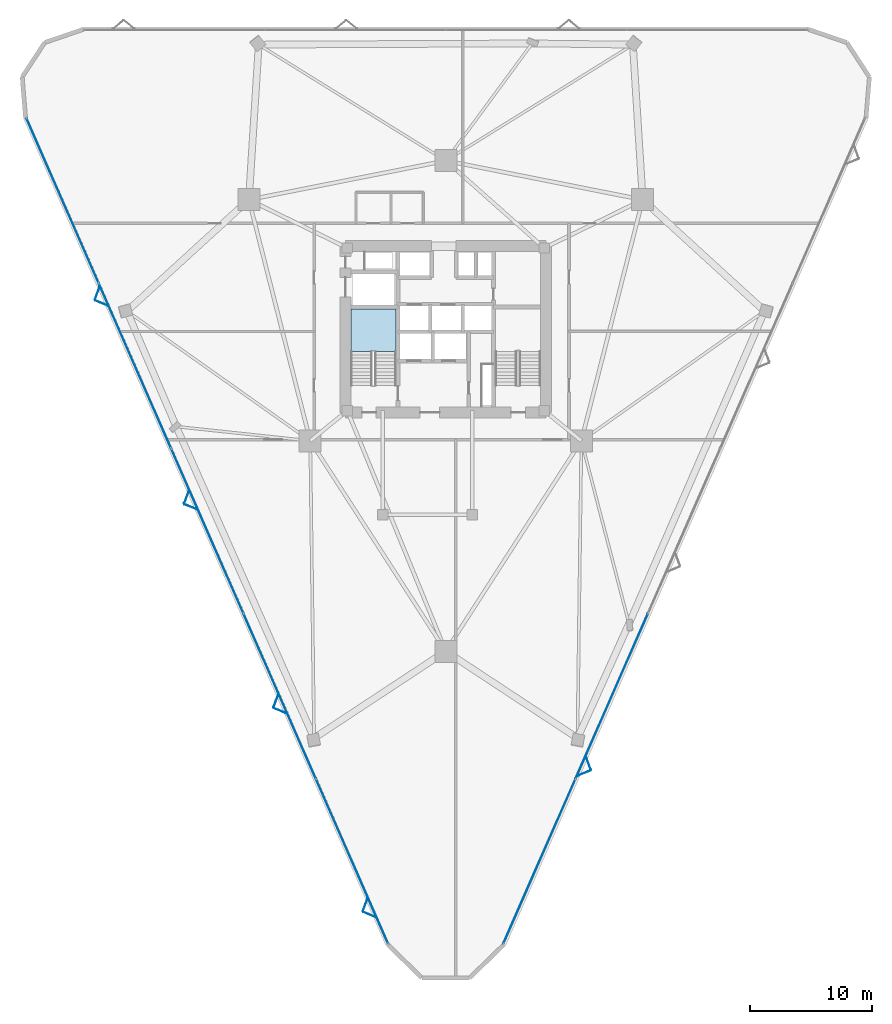
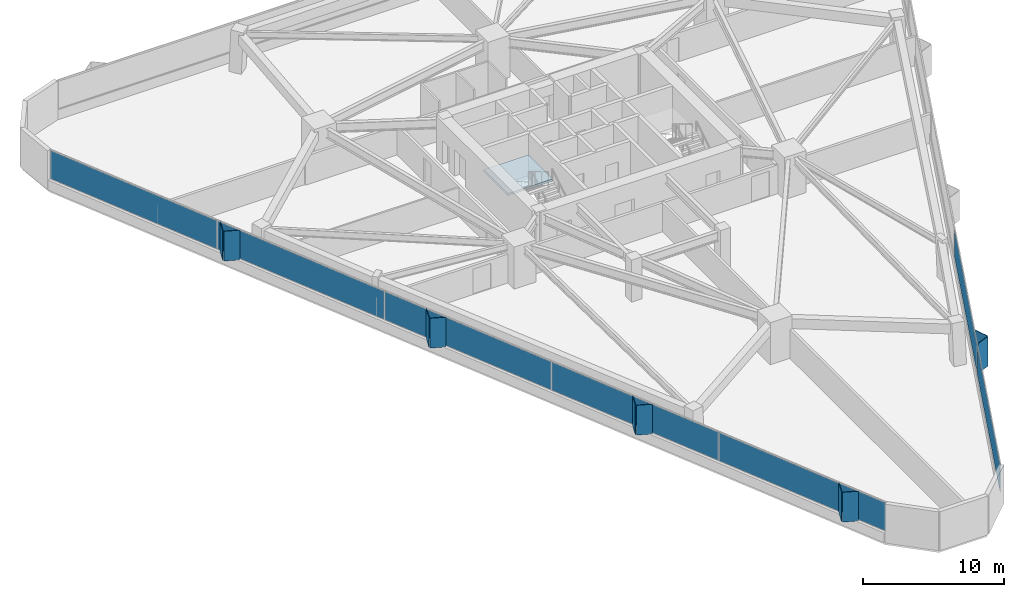
# One storey, part 14 of 20: 17 plates, 1 slab, 3 elements without a shape of their own.
"""IFC4 building model written with IfcOpenShell, lengths in metres."""

from ifc_helpers import new_model, si_unit, direction, frame, origin, origin_2d, place, context, subcontext, project, spatial, polyline, rectangle, outline, extrude, material, layer, layer_set, type_object, element, aggregate, save


model = new_model("IFC4")

# Units and contexts
model_context = context("Model", 3, precision=1e-05, world=origin(), true_north=direction((0.0, 1.0)))
body_context = subcontext(model_context, "Body", "Model", "MODEL_VIEW")
ifc_project = project(units=[si_unit("LENGTHUNIT", "METRE"), si_unit("AREAUNIT", "SQUARE_METRE"), si_unit("VOLUMEUNIT", "CUBIC_METRE"), si_unit("PLANEANGLEUNIT", "RADIAN"), si_unit("MASSUNIT", "GRAM", prefix="KILO")], contexts=[model_context])

# Site, building, storey
site_placement = place(None, origin())
site = spatial("IfcSite", under=ifc_project, at=site_placement, CompositionType="ELEMENT")
building_placement = place(site_placement, origin())
building = spatial("IfcBuilding", under=site, at=building_placement, Name="Talyreon Biosciences Tower", CompositionType="ELEMENT")
storey_placement = place(building_placement, frame((0.0, 0.0, 26.449951171875)))
storey = spatial("IfcBuildingStorey", under=building, at=storey_placement, Name="L06", CompositionType="ELEMENT", Elevation=26.449951171875)

# Curtain wall, plates
ifc_material_1 = material(Name="Thermally broken aluminium and low-E glazing", Category="aluminium")
ifc_layer_1 = layer(ifc_material_1, 0.195068359375)
ifc_layer_set_1 = layer_set([ifc_layer_1], Name="Thermally broken aluminium and low-E glazing")
curtain_wall_type = type_object("IfcCurtainWallType", Name="CurtainWall_Zone1WetLab", PredefinedType="NOTDEFINED", material=ifc_layer_set_1)
curtain_wall_1_placement = place(storey_placement, origin())
curtain_wall_1 = element("IfcCurtainWall", 1, at=curtain_wall_1_placement, inside=storey, type_object=curtain_wall_type, Name="L06 Unitised Curtain Wall FCW-L06-00", PredefinedType="NOTDEFINED")
ifc_material_2 = material(Name="Triple-silver low-E insulated glazing", Category="glass")
ifc_layer_2 = layer(ifc_material_2, 0.031982421875)
ifc_layer_set_2 = layer_set([ifc_layer_2], Name="Triple-silver low-E insulated glazing")
plate_type_1 = type_object("IfcPlateType", Name="CWGlazingPanel_32", PredefinedType="CURTAIN_PANEL", material=ifc_layer_set_2)
plate_1_placement = place(storey_placement, frame((58.3427734375, 24.494140625, 0.875), z_axis=(0.0, 0.0, 1.0), x_axis=(-0.401345129249, 0.915926900592, 0.0)))
plate_1 = element("IfcPlate", 2, at=plate_1_placement, type_object=plate_type_1, Name="CW2 panel 1.1", PredefinedType="CURTAIN_PANEL", context=body_context, shape_type="SweptSolid", body=[
    extrude(rectangle(XDim=14.65869140625, YDim=0.031982421875, at=origin_2d()), origin(), (0.0, 0.0, 1.0), 2.43505859375),
])
plate_2_placement = place(storey_placement, frame((52.427001953125, 37.994873046875, 0.875), z_axis=(0.0, 0.0, 1.0), x_axis=(-0.401345129249, 0.915926900592, 0.0)))
plate_2 = element("IfcPlate", 3, at=plate_2_placement, type_object=plate_type_1, Name="CW2 panel 2.1", PredefinedType="CURTAIN_PANEL", context=body_context, shape_type="SweptSolid", body=[
    extrude(rectangle(XDim=14.691162109375, YDim=0.031982421875, at=origin_2d()), origin(), (0.0, 0.0, 1.0), 2.43505859375),
])
plate_3_placement = place(storey_placement, frame((46.504638671875, 51.510498046875, 0.875), z_axis=(0.0, 0.0, 1.0), x_axis=(-0.401345129249, 0.915926900592, 0.0)))
plate_3 = element("IfcPlate", 4, at=plate_3_placement, type_object=plate_type_1, Name="CW2 panel 3.1", PredefinedType="CURTAIN_PANEL", context=body_context, shape_type="SweptSolid", body=[
    extrude(rectangle(XDim=14.691162109375, YDim=0.031982421875, at=origin_2d()), origin(), (0.0, 0.0, 1.0), 2.43505859375),
])
plate_4_placement = place(storey_placement, frame((40.582275390625, 65.026123046875, 0.875), z_axis=(0.0, 0.0, 1.0), x_axis=(-0.401345129249, 0.915926900592, 0.0)))
plate_4 = element("IfcPlate", 5, at=plate_4_placement, type_object=plate_type_1, Name="CW2 panel 4.1", PredefinedType="CURTAIN_PANEL", context=body_context, shape_type="SweptSolid", body=[
    extrude(rectangle(XDim=14.691162109375, YDim=0.031982421875, at=origin_2d()), origin(), (0.0, 0.0, 1.0), 2.43505859375),
])
plate_5_placement = place(storey_placement, frame((34.66650390625, 78.526611328125, 0.875), z_axis=(0.0, 0.0, 1.0), x_axis=(-0.401345129249, 0.915926900592, 0.0)))
plate_5 = element("IfcPlate", 6, at=plate_5_placement, type_object=plate_type_1, Name="CW2 panel 5.1", PredefinedType="CURTAIN_PANEL", context=body_context, shape_type="SweptSolid", body=[
    extrude(rectangle(XDim=14.65869140625, YDim=0.031982421875, at=origin_2d()), origin(), (0.0, 0.0, 1.0), 2.43505859375),
])
aggregate(curtain_wall_1, [plate_1, plate_2, plate_3, plate_4, plate_5])

curtain_wall_2_placement = place(storey_placement, origin())
curtain_wall_2 = element("IfcCurtainWall", 7, at=curtain_wall_2_placement, inside=storey, type_object=curtain_wall_type, Name="L06 Unitised Curtain Wall FCW-L06-08", PredefinedType="NOTDEFINED")
plate_6_placement = place(storey_placement, frame((79.572998046875, 37.994873046875, 0.875), z_axis=(0.0, 0.0, 1.0), x_axis=(-0.401345129249, -0.915926900592, 0.0)))
plate_6 = element("IfcPlate", 8, at=plate_6_placement, type_object=plate_type_1, Name="CW2 panel 4.1", PredefinedType="CURTAIN_PANEL", context=body_context, shape_type="SweptSolid", body=[
    extrude(rectangle(XDim=14.691162109375, YDim=0.031982421875, at=origin_2d()), origin(), (0.0, 0.0, 1.0), 2.43505859375),
])
plate_7_placement = place(storey_placement, frame((73.6572265625, 24.494140625, 0.875), z_axis=(0.0, 0.0, 1.0), x_axis=(-0.401345129249, -0.915926900592, 0.0)))
plate_7 = element("IfcPlate", 9, at=plate_7_placement, type_object=plate_type_1, Name="CW2 panel 5.1", PredefinedType="CURTAIN_PANEL", context=body_context, shape_type="SweptSolid", body=[
    extrude(rectangle(XDim=14.65869140625, YDim=0.031982421875, at=origin_2d()), origin(), (0.0, 0.0, 1.0), 2.43505859375),
])
aggregate(curtain_wall_2, [plate_6, plate_7])

# Plates
ifc_material_3 = material(Name="Ivory GFRC sunshade panel", Category="concrete")
ifc_layer_3 = layer(ifc_material_3, 0.044921875)
ifc_layer_set_3 = layer_set([ifc_layer_3], Name="Ivory GFRC sunshade panel")
plate_type_2 = type_object("IfcPlateType", Name="FoldedVSunshade_SunFace_SUNSHADE", PredefinedType="USERDEFINED", material=ifc_layer_set_3)
for number, where, z_axis, x_axis, name in (
    (10, (59.775634765625, 20.127685546875, 0.7900390625), (0.0, 0.0, 1.0), (-0.924957850064, 0.380069698351, 0.0), "L06 Folded V-Sunshade Panel 00.01L"),
    (11, (59.41455078125, 20.9521484375, 0.7900390625), (0.0, 0.0, 1.0), (0.347557606722, 0.937658631918, 0.0), "L06 Folded V-Sunshade Panel 00.01R"),
    (12, (52.47119140625, 36.797607421875, 0.7900390625), (0.0, 0.0, 1.0), (-0.924957850064, 0.380069698351, 0.0), "L06 Folded V-Sunshade Panel 00.02L"),
    (13, (52.110107421875, 37.6220703125, 0.7900390625), (0.0, 0.0, 1.0), (0.347557606722, 0.937658631918, 0.0), "L06 Folded V-Sunshade Panel 00.02R"),
    (14, (45.166748046875, 53.467529296875, 0.7900390625), (0.0, 0.0, 1.0), (-0.924957850064, 0.380069698351, 0.0), "L06 Folded V-Sunshade Panel 00.03L"),
    (15, (44.805419921875, 54.2919921875, 0.7900390625), (0.0, 0.0, 1.0), (0.347557606722, 0.937658631918, 0.0), "L06 Folded V-Sunshade Panel 00.03R"),
    (16, (37.8623046875, 70.137451171875, 0.7900390625), (0.0, 0.0, 1.0), (-0.924957850064, 0.380069698351, 0.0), "L06 Folded V-Sunshade Panel 00.04L"),
    (17, (37.5009765625, 70.9619140625, 0.7900390625), (0.0, 0.0, 1.0), (0.347557606722, 0.937658631918, 0.0), "L06 Folded V-Sunshade Panel 00.04R"),
    (18, (77.658935546875, 32.5302734375, 0.7900390625), (0.0, 0.0, 1.0), (0.347557606722, -0.937658631918, 0.0), "L06 Folded V-Sunshade Panel 08.04L"),
    (19, (77.297607421875, 31.7060546875, 0.7900390625), (0.0, 0.0, 1.0), (-0.924957850064, -0.380069698351, 0.0), "L06 Folded V-Sunshade Panel 08.04R"),
):
    element("IfcPlate", number, at=place(storey_placement, frame(where, z_axis=z_axis, x_axis=x_axis)), inside=storey, type_object=plate_type_2, Name=name, ObjectType="SUNSHADE", PredefinedType="USERDEFINED", context=body_context, shape_type="SweptSolid", body=[
        extrude(rectangle(XDim=1.14990234375, YDim=0.044921875, at=origin_2d()), origin(), (0.0, 0.0, 1.0), 2.5849609375),
    ])

# Stair, slab
ifc_material_4 = material(Name="Concrete C40/50", Category="concrete")
stair_type = type_object("IfcStairType", Name="DoglegEscapeStair_3650", PredefinedType="HALF_TURN_STAIR", material=ifc_material_4)
stair_placement = place(storey_placement, origin())
stair = element("IfcStair", 20, at=stair_placement, inside=storey, type_object=stair_type, Name="L06 Core Escape Stair 1", PredefinedType="HALF_TURN_STAIR")
ifc_layer_4 = layer(ifc_material_4, 0.199951171875)
ifc_layer_set_4 = layer_set([ifc_layer_4], Name="Concrete C40/50")
slab_type = type_object("IfcSlabType", Name="StairLandingSlab_200", PredefinedType="LANDING", material=ifc_layer_set_4)
slab_placement = place(storey_placement, frame((0.0, 0.0, 1.625)))
slab = element("IfcSlab", 21, at=slab_placement, type_object=slab_type, Name="ST-1 landing 1", PredefinedType="LANDING", context=body_context, shape_type="SweptSolid", body=[
    extrude(outline(polyline([(61.929931640625, 66.199951171875), (61.929931640625, 69.64990234375), (58.25, 69.64990234375), (58.25, 66.199951171875), (61.929931640625, 66.199951171875)])), origin(), (0.0, 0.0, 1.0), 0.199951171875),
])
aggregate(stair, [slab])

save(model, "model.ifc")
